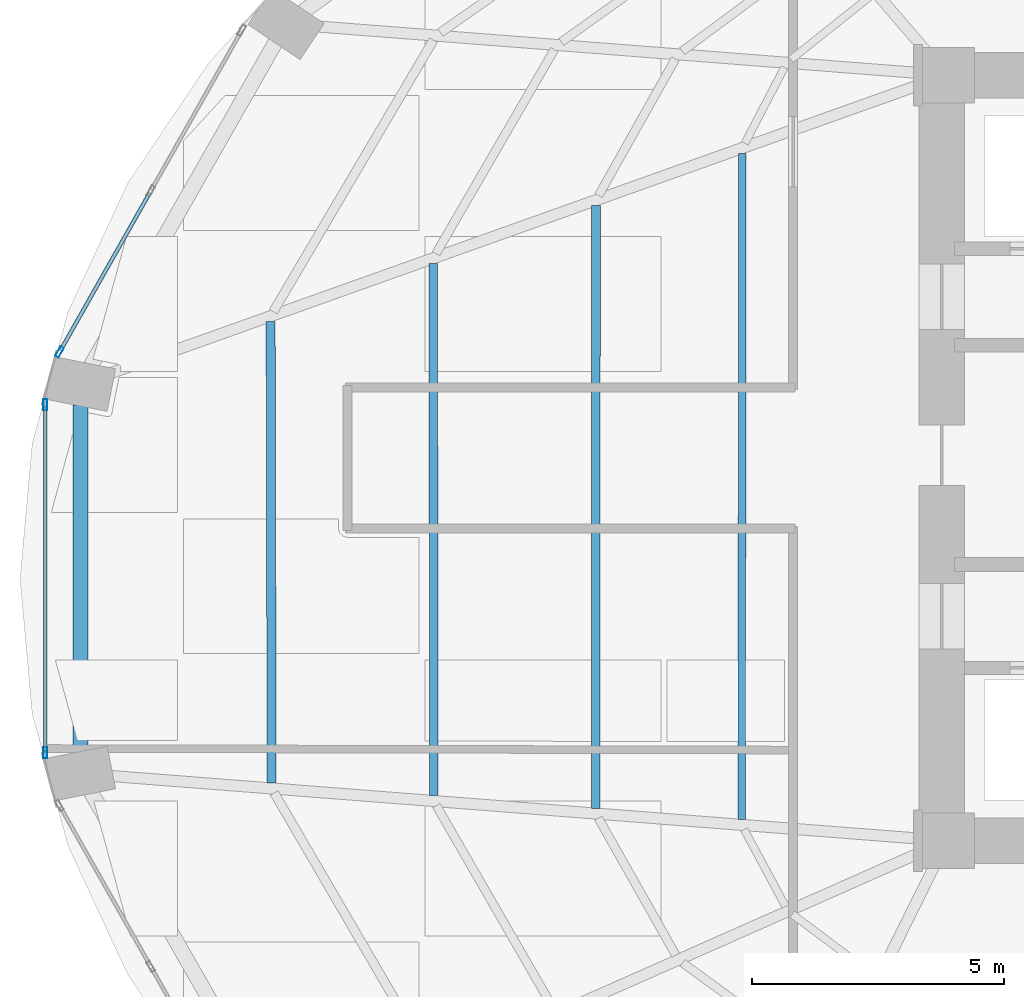
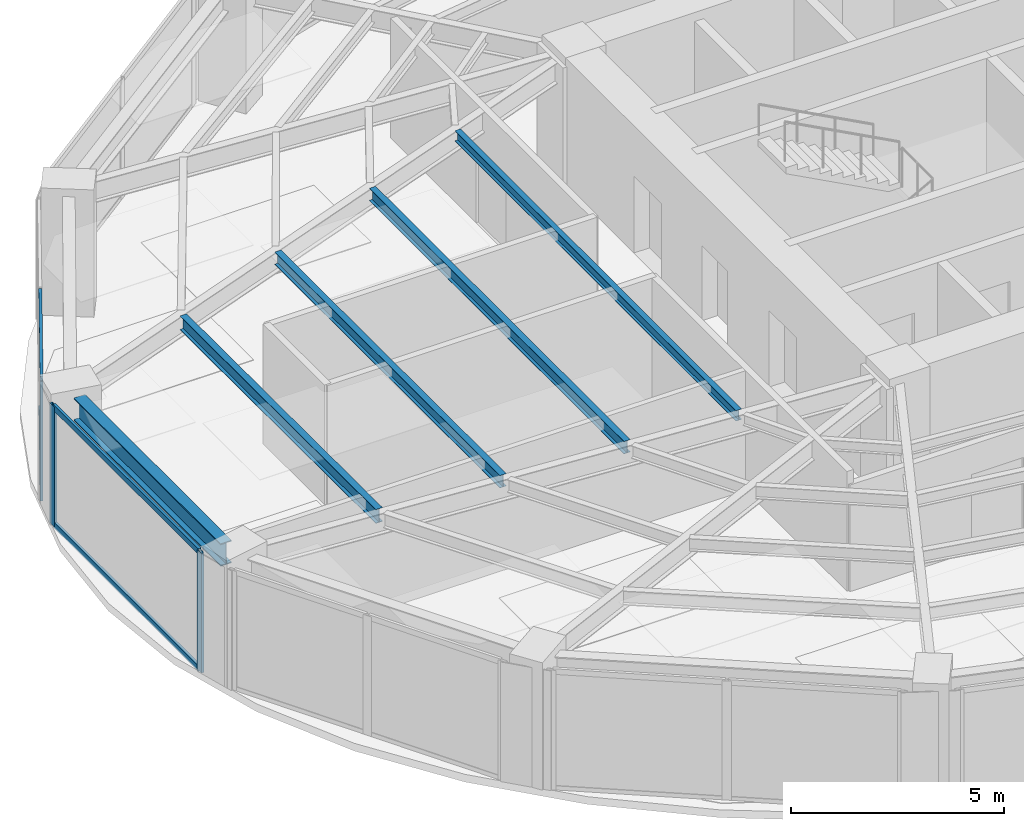
# One storey, part 7 of 24: 7 members, 5 beams, 2 elements without a shape of their own.
"""IFC4 building model written with IfcOpenShell, lengths in metres."""

from ifc_helpers import new_model, si_unit, direction, frame, origin, origin_2d, place, context, subcontext, project, spatial, hollow_rectangle, i_section, extrude, material, layer, layer_set, material_profile, profile_set, type_object, element, aggregate, save


model = new_model("IFC4")

# Units and contexts
model_context = context("Model", 3, precision=1e-05, world=origin(), true_north=direction((0.0, 1.0)))
body_context = subcontext(model_context, "Body", "Model", "MODEL_VIEW")
ifc_project = project(units=[si_unit("LENGTHUNIT", "METRE"), si_unit("AREAUNIT", "SQUARE_METRE"), si_unit("VOLUMEUNIT", "CUBIC_METRE"), si_unit("PLANEANGLEUNIT", "RADIAN"), si_unit("MASSUNIT", "GRAM", prefix="KILO")], contexts=[model_context])

# Site, building, storey
site_placement = place(None, origin())
site = spatial("IfcSite", under=ifc_project, at=site_placement, CompositionType="ELEMENT")
building_placement = place(site_placement, origin())
building = spatial("IfcBuilding", under=site, at=building_placement, Name="Lazwardi Medical Tower", CompositionType="ELEMENT")
storey_placement = place(building_placement, frame((0.0, 0.0, 68.97607421875)))
storey = spatial("IfcBuildingStorey", under=building, at=storey_placement, Name="L17", CompositionType="ELEMENT", Elevation=68.97607421875)

# Beams
ifc_material_1 = material(Name="Steel S355", Category="steel")
ifc_material_profile_1 = material_profile(ifc_material_1, i_section(OverallWidth=0.300048828125, OverallDepth=0.64990234375, WebThickness=0.01611328125, FlangeThickness=0.031005859375, at=origin_2d()), Name="HEB 650")
ifc_profile_set_1 = profile_set([ifc_material_profile_1], Name="Steel S355")
beam_type_1 = type_object("IfcBeamType", Name="BM-RB-Z1", PredefinedType="BEAM", material=ifc_profile_set_1)
beam_1_placement = place(storey_placement, frame((9.199951171875, 29.047607421875, 3.10302734375), z_axis=(0.0, -1.0, 0.0), x_axis=(1.0, 0.0, 0.0)))
element("IfcBeam", 1, at=beam_1_placement, inside=storey, type_object=beam_type_1, Name="Ring beam RB-02 B12 L17", PredefinedType="BEAM", context=body_context, shape_type="SweptSolid", body=[
    extrude(i_section(OverallWidth=0.300048828125, OverallDepth=0.64990234375, WebThickness=0.01611328125, FlangeThickness=0.031005859375, at=origin_2d()), origin(), (0.0, 0.0, 1.0), 6.895263671875),
])
ifc_material_profile_2 = material_profile(ifc_material_1, i_section(OverallWidth=0.179931640625, OverallDepth=0.39990234375, WebThickness=0.008544921875, FlangeThickness=0.013427734375, at=origin_2d()), Name="IPE 400")
ifc_profile_set_2 = profile_set([ifc_material_profile_2], Name="Steel S355")
beam_type_2 = type_object("IfcBeamType", Name="BM-SJ-01", PredefinedType="JOIST", material=ifc_profile_set_2)
beam_2_placement = place(storey_placement, frame((12.9765625, 30.708984375, 3.22802734375), z_axis=(0.002077613181, -0.999997841759, 0.0), x_axis=(0.999997841759, 0.002077613181, 0.0)))
element("IfcBeam", 2, at=beam_2_placement, inside=storey, type_object=beam_type_2, Name="Secondary joist SJ-01 R1 B12 L17", PredefinedType="JOIST", context=body_context, shape_type="SweptSolid", body=[
    extrude(i_section(OverallWidth=0.179931640625, OverallDepth=0.39990234375, WebThickness=0.008544921875, FlangeThickness=0.013427734375, at=origin_2d()), origin(), (0.0, 0.0, 1.0), 9.165771484375),
])
ifc_material_profile_3 = material_profile(ifc_material_1, i_section(OverallWidth=0.169921875, OverallDepth=0.360107421875, WebThickness=0.008056640625, FlangeThickness=0.0126953125, at=origin_2d()), Name="IPE 360")
ifc_profile_set_3 = profile_set([ifc_material_profile_3], Name="Steel S355")
beam_type_3 = type_object("IfcBeamType", Name="BM-SJ-02", PredefinedType="JOIST", material=ifc_profile_set_3)
beam_3_placement = place(storey_placement, frame((16.206298828125, 31.860595703125, 3.248046875), z_axis=(0.000670039821, -0.999999775523, 0.0), x_axis=(0.999999775523, 0.000670039821, 0.0)))
element("IfcBeam", 3, at=beam_3_placement, inside=storey, type_object=beam_type_3, Name="Secondary joist SJ-02 R2 B12 L17", PredefinedType="JOIST", context=body_context, shape_type="SweptSolid", body=[
    extrude(i_section(OverallWidth=0.169921875, OverallDepth=0.360107421875, WebThickness=0.008056640625, FlangeThickness=0.0126953125, at=origin_2d()), origin(), (0.0, 0.0, 1.0), 10.566650390625),
])
beam_4_placement = place(storey_placement, frame((19.43603515625, 33.01220703125, 3.248046875), z_axis=(-0.000387612685, -0.999999924878, 0.0), x_axis=(0.999999924878, -0.000387612685, 0.0)))
element("IfcBeam", 4, at=beam_4_placement, inside=storey, type_object=beam_type_3, Name="Secondary joist SJ-02 R3 B12 L17", PredefinedType="JOIST", context=body_context, shape_type="SweptSolid", body=[
    extrude(i_section(OverallWidth=0.169921875, OverallDepth=0.360107421875, WebThickness=0.008056640625, FlangeThickness=0.0126953125, at=origin_2d()), origin(), (0.0, 0.0, 1.0), 11.96728515625),
])
ifc_material_profile_4 = material_profile(ifc_material_1, i_section(OverallWidth=0.14990234375, OverallDepth=0.300048828125, WebThickness=0.007080078125, FlangeThickness=0.0107421875, at=origin_2d()), Name="IPE 300")
ifc_profile_set_4 = profile_set([ifc_material_profile_4], Name="Steel S355")
beam_type_4 = type_object("IfcBeamType", Name="BM-SJ-03", PredefinedType="JOIST", material=ifc_profile_set_4)
beam_5_placement = place(storey_placement, frame((22.343017578125, 34.048583984375, 3.27783203125), z_axis=(-0.001181203266, -0.999999302379, 0.0), x_axis=(0.999999302379, -0.001181203266, 0.0)))
element("IfcBeam", 5, at=beam_5_placement, inside=storey, type_object=beam_type_4, Name="Secondary joist SJ-03 R4 B12 L17", PredefinedType="JOIST", context=body_context, shape_type="SweptSolid", body=[
    extrude(i_section(OverallWidth=0.14990234375, OverallDepth=0.300048828125, WebThickness=0.007080078125, FlangeThickness=0.0107421875, at=origin_2d()), origin(), (0.0, 0.0, 1.0), 13.22802734375),
])

# Curtain wall, member
ifc_material_2 = material(Name="Anodised bronze aluminium and solar control glazing", Category="aluminium")
ifc_layer = layer(ifc_material_2, 0.199951171875)
ifc_layer_set = layer_set([ifc_layer], Name="Anodised bronze aluminium and solar control glazing")
curtain_wall_type = type_object("IfcCurtainWallType", Name="CW-SYS-02", PredefinedType="NOTDEFINED", material=ifc_layer_set)
curtain_wall_1_placement = place(storey_placement, origin())
curtain_wall_1 = element("IfcCurtainWall", 6, at=curtain_wall_1_placement, inside=storey, type_object=curtain_wall_type, Name="L17 Unitised bronze curtain wall CW-02", PredefinedType="NOTDEFINED")
ifc_material_3 = material(Name="Anodised bronze aluminium", Category="aluminium")
ifc_material_profile_5 = material_profile(ifc_material_3, hollow_rectangle(XDim=0.074951171875, YDim=0.219970703125, WallThickness=0.00390625, at=origin_2d()), Name="ALU-MULLION 220x75x4")
ifc_profile_set_5 = profile_set([ifc_material_profile_5], Name="Anodised bronze aluminium")
member_type_1 = type_object("IfcMemberType", Name="CW-MUL-01", PredefinedType="MULLION", material=ifc_profile_set_5)
member_1_placement = place(storey_placement, frame((8.785888671875, 30.102294921875, 0.0), z_axis=(0.0, 0.0, 1.0), x_axis=(0.870111838823, -0.492854327303, 0.0)))
member_1 = element("IfcMember", 7, at=member_1_placement, type_object=member_type_1, Name="CW-02 mullion 3", PredefinedType="MULLION", context=body_context, shape_type="SweptSolid", body=[
    extrude(hollow_rectangle(XDim=0.074951171875, YDim=0.219970703125, WallThickness=0.00390625, at=origin_2d()), origin(), (0.0, 0.0, 1.0), 3.427978515625),
])

# Curtain wall, members
curtain_wall_2_placement = place(storey_placement, origin())
curtain_wall_2 = element("IfcCurtainWall", 8, at=curtain_wall_2_placement, inside=storey, type_object=curtain_wall_type, Name="L17 Unitised bronze curtain wall CW-02", PredefinedType="NOTDEFINED")
member_2_placement = place(storey_placement, frame((8.50146484375, 29.053955078125, 0.0), z_axis=(0.0, 0.0, 1.0), x_axis=(1.0, 0.0, 0.0)))
member_2 = element("IfcMember", 9, at=member_2_placement, type_object=member_type_1, Name="CW-02 mullion 1", PredefinedType="MULLION", context=body_context, shape_type="SweptSolid", body=[
    extrude(hollow_rectangle(XDim=0.074951171875, YDim=0.219970703125, WallThickness=0.00390625, at=origin_2d()), origin(), (0.0, 0.0, 1.0), 3.427978515625),
])
member_3_placement = place(storey_placement, frame((8.50146484375, 22.14599609375, 0.0), z_axis=(0.0, 0.0, 1.0), x_axis=(1.0, 0.0, 0.0)))
member_3 = element("IfcMember", 10, at=member_3_placement, type_object=member_type_1, Name="CW-02 mullion 2", PredefinedType="MULLION", context=body_context, shape_type="SweptSolid", body=[
    extrude(hollow_rectangle(XDim=0.074951171875, YDim=0.219970703125, WallThickness=0.00390625, at=origin_2d()), origin(), (0.0, 0.0, 1.0), 3.427978515625),
])

# Member
ifc_material_profile_6 = material_profile(ifc_material_3, hollow_rectangle(XDim=0.074951171875, YDim=0.159912109375, WallThickness=0.00390625, at=origin_2d()), Name="ALU-TRANSOM 160x75x4")
ifc_profile_set_6 = profile_set([ifc_material_profile_6], Name="Anodised bronze aluminium")
member_type_2 = type_object("IfcMemberType", Name="CW-TRN-01", PredefinedType="USERDEFINED", material=ifc_profile_set_6)
member_4_placement = place(storey_placement, frame((10.576171875, 33.262939453125, 0.037353515625), z_axis=(-0.49285148925, -0.870113446365, 0.0), x_axis=(0.870113446365, -0.49285148925, 0.0)))
member_4 = element("IfcMember", 11, at=member_4_placement, type_object=member_type_2, Name="CW-02 transom 2.1", ObjectType="TRANSOM", PredefinedType="USERDEFINED", context=body_context, shape_type="SweptSolid", body=[
    extrude(hollow_rectangle(XDim=0.074951171875, YDim=0.159912109375, WallThickness=0.00390625, at=origin_2d()), origin(), (0.0, 0.0, 1.0), 3.594970703125),
])

member_5_placement = place(storey_placement, frame((10.576171875, 33.262939453125, 3.390380859375), z_axis=(-0.49285148925, -0.870113446365, 0.0), x_axis=(0.870113446365, -0.49285148925, 0.0)))
member_5 = element("IfcMember", 12, at=member_5_placement, type_object=member_type_2, Name="CW-02 transom 2.2", ObjectType="TRANSOM", PredefinedType="USERDEFINED", context=body_context, shape_type="SweptSolid", body=[
    extrude(hollow_rectangle(XDim=0.074951171875, YDim=0.159912109375, WallThickness=0.00390625, at=origin_2d()), origin(), (0.0, 0.0, 1.0), 3.594970703125),
])

aggregate(curtain_wall_1, [member_1, member_4, member_5])

member_6_placement = place(storey_placement, frame((8.50146484375, 29.0166015625, 0.037353515625), z_axis=(0.0, -1.0, 0.0), x_axis=(1.0, 0.0, 0.0)))
member_6 = element("IfcMember", 13, at=member_6_placement, type_object=member_type_2, Name="CW-02 transom 1.1", ObjectType="TRANSOM", PredefinedType="USERDEFINED", context=body_context, shape_type="SweptSolid", body=[
    extrude(hollow_rectangle(XDim=0.074951171875, YDim=0.159912109375, WallThickness=0.00390625, at=origin_2d()), origin(), (0.0, 0.0, 1.0), 6.8330078125),
])

member_7_placement = place(storey_placement, frame((8.50146484375, 29.0166015625, 3.390380859375), z_axis=(0.0, -1.0, 0.0), x_axis=(1.0, 0.0, 0.0)))
member_7 = element("IfcMember", 14, at=member_7_placement, type_object=member_type_2, Name="CW-02 transom 1.2", ObjectType="TRANSOM", PredefinedType="USERDEFINED", context=body_context, shape_type="SweptSolid", body=[
    extrude(hollow_rectangle(XDim=0.074951171875, YDim=0.159912109375, WallThickness=0.00390625, at=origin_2d()), origin(), (0.0, 0.0, 1.0), 6.8330078125),
])

aggregate(curtain_wall_2, [member_2, member_3, member_6, member_7])

save(model, "model.ifc")
